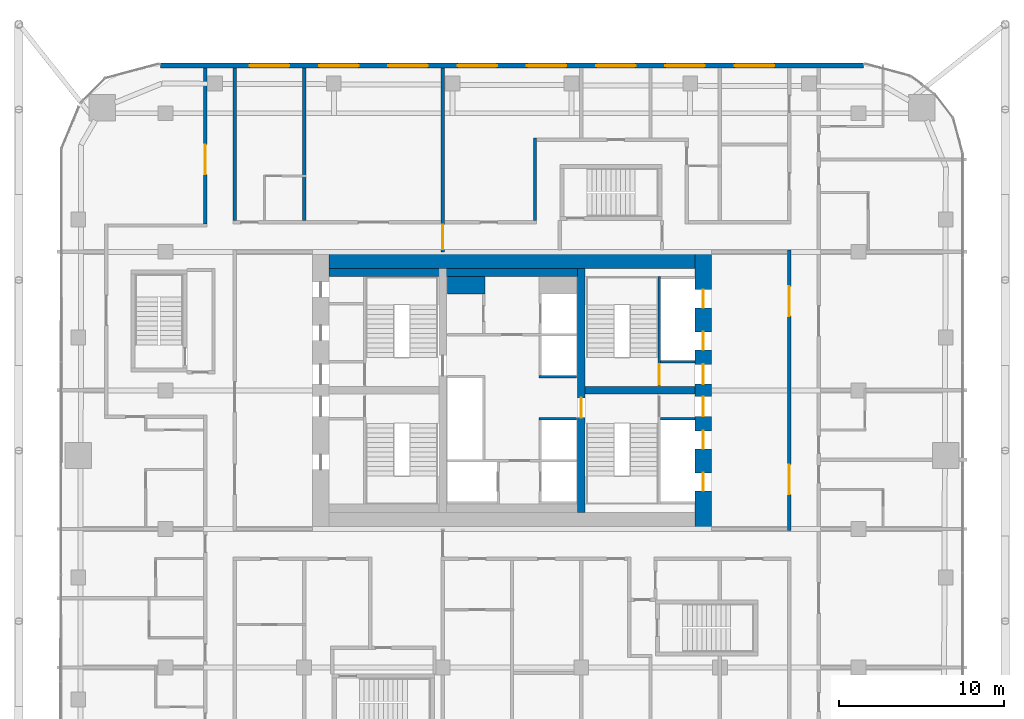
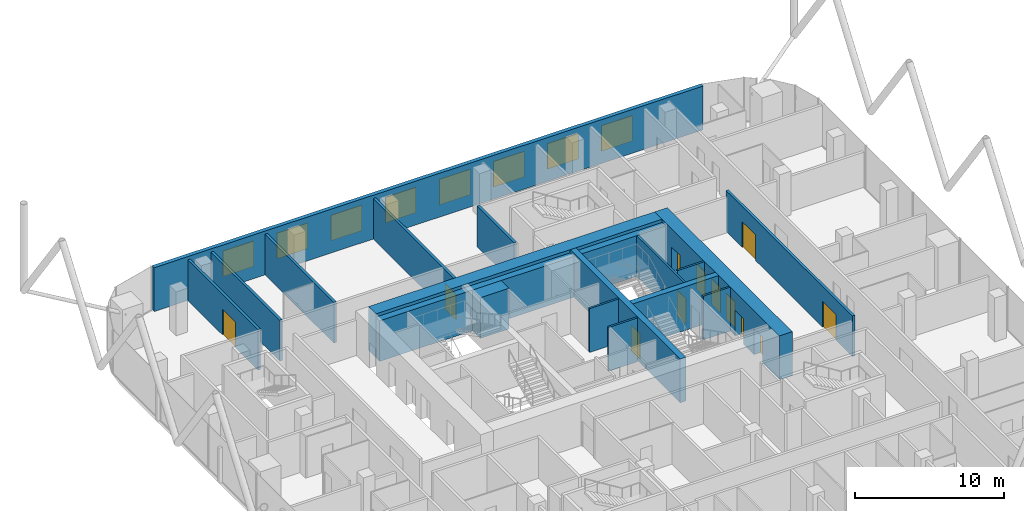
# One storey, part 29 of 33: 18 walls, 12 doors, 8 windows, 20 openings.
"""IFC4 building model written with IfcOpenShell, lengths in metres."""

import ifcopenshell
import ifcopenshell.guid

model = None  # the IFC model being written
_history = None  # IfcOwnerHistory: only IFC2X3 demands one
_inside = {}  # id of a spatial element -> (the spatial element, [elements in it])
_under = {}  # id of a project, library or spatial element -> (it, [spatial elements below it])
_declared = {}  # id of a project -> (the project, [libraries it declares])
_typed = {}  # id of a type object -> (the type object, [elements of that type])
_made_of = {}  # id of a material, layer set ... -> (it, [elements and type objects made of it])


def new_model(schema):
    """Start an empty IFC model of exactly this schema.

    Asked for "IFC4X3", IfcOpenShell would pick the latest addendum, in which some entities
    have other attributes; the version numbers below select the first issue.
    IFC2X3 requires an IfcOwnerHistory on every rooted entity: one is made here for all.
    """
    global model, _history
    if schema == "IFC4X3":
        model = ifcopenshell.file(schema_version=(4, 3, 0, 0))
    else:
        model = ifcopenshell.file(schema=schema)
    _inside.clear()
    _under.clear()
    _declared.clear()
    _typed.clear()
    _made_of.clear()
    _history = None
    if model.schema == "IFC2X3":
        org = make("IfcOrganization", Name="unknown")
        user = make(
            "IfcPersonAndOrganization",
            ThePerson=make("IfcPerson", FamilyName="unknown"),
            TheOrganization=org,
        )
        app = make(
            "IfcApplication",
            ApplicationDeveloper=org,
            Version="unknown",
            ApplicationFullName="unknown",
            ApplicationIdentifier="unknown",
        )
        _history = make(
            "IfcOwnerHistory",
            OwningUser=user,
            OwningApplication=app,
            ChangeAction="ADDED",
            CreationDate=0,
        )
    return model


def make(cls, **values):
    """One entity of the class cls with the attributes given. An attribute that is None is left unset."""
    return model.create_entity(
        cls, **{name: value for name, value in values.items() if value is not None}
    )


def rooted(cls, **values):
    """An entity with a GlobalId (a new one), such as an element, a storey or a relation."""
    return make(cls, GlobalId=ifcopenshell.guid.new(), OwnerHistory=_history, **values)


def si_unit(unit_type, name, prefix=None):
    """IfcSIUnit, for example si_unit("LENGTHUNIT", "METRE", prefix="MILLI")."""
    return make("IfcSIUnit", UnitType=unit_type, Prefix=prefix, Name=name)


def assignment(units):
    """IfcUnitAssignment: the units of a project."""
    return None if units is None else make("IfcUnitAssignment", Units=units)


def point(xyz):
    """IfcCartesianPoint."""
    return None if xyz is None else make("IfcCartesianPoint", Coordinates=xyz)


def direction(xyz):
    """IfcDirection."""
    return None if xyz is None else make("IfcDirection", DirectionRatios=xyz)


def frame(location, z_axis=None, x_axis=None):
    """IfcAxis2Placement3D, a coordinate frame: its origin and axes. An axis left out is left unset."""
    return make(
        "IfcAxis2Placement3D",
        Location=point(location),
        Axis=direction(z_axis),
        RefDirection=direction(x_axis),
    )


def frame_2d(location, x_axis=None):
    """IfcAxis2Placement2D, a coordinate frame in the plane: its origin and x axis."""
    return make(
        "IfcAxis2Placement2D", Location=point(location), RefDirection=direction(x_axis)
    )


def origin():
    """The frame at (0, 0, 0) with its axes left unset."""
    return frame((0.0, 0.0, 0.0))


def place(relative_to, where):
    """IfcLocalPlacement: puts the frame where relative to a parent placement (None: the world)."""
    return make(
        "IfcLocalPlacement", PlacementRelTo=relative_to, RelativePlacement=where
    )


def context(
    kind, dimensions, precision=None, world=None, true_north=None, identifier=None
):
    """IfcGeometricRepresentationContext, for example the 3D "Model" context."""
    return make(
        "IfcGeometricRepresentationContext",
        ContextIdentifier=identifier,
        ContextType=kind,
        CoordinateSpaceDimension=dimensions,
        Precision=precision,
        WorldCoordinateSystem=world,
        TrueNorth=true_north,
    )


def subcontext(parent, identifier, kind, view, scale=None):
    """IfcGeometricRepresentationSubContext, for example "Body" below "Model"."""
    return make(
        "IfcGeometricRepresentationSubContext",
        ContextIdentifier=identifier,
        ContextType=kind,
        ParentContext=parent,
        TargetScale=scale,
        TargetView=view,
    )


def project(units=None, contexts=None):
    """IfcProject with its units and contexts."""
    return rooted(
        "IfcProject",
        Name="project",
        RepresentationContexts=contexts,
        UnitsInContext=assignment(units),
    )


def spatial(cls, under=None, at=None, **own):
    """A site, building, storey or space (cls), placed at a placement, below another one or the project."""
    s = rooted(cls, ObjectPlacement=at, **own)
    if under is not None:
        _under.setdefault(under.id(), (under, []))[1].append(s)
    return s


def profile(cls, at=None, kind="AREA", **sizes):
    """A parametric profile (cls). Its sizes go by their IFC names, for example OverallWidth=200.0."""
    return make(cls, ProfileType=kind, Position=at, **sizes)


def rectangle(**sizes):
    """IfcRectangleProfileDef."""
    return profile("IfcRectangleProfileDef", **sizes)


def extrude(swept, where, along, depth):
    """IfcExtrudedAreaSolid: the profile swept, set in the frame where, extruded along a direction by depth."""
    return make(
        "IfcExtrudedAreaSolid",
        SweptArea=swept,
        Position=where,
        ExtrudedDirection=direction(along),
        Depth=depth,
    )


def shape(context_of_items, identifier, shape_type, items):
    """IfcShapeRepresentation: the items that make up one representation, for example the "Body"."""
    return make(
        "IfcShapeRepresentation",
        ContextOfItems=context_of_items,
        RepresentationIdentifier=identifier,
        RepresentationType=shape_type,
        Items=items,
    )


def material(Name=None, Category=None):
    """IfcMaterial."""
    return make("IfcMaterial", Name=Name, Category=Category)


def layer(
    of_material, thickness, ventilated=None, Name=None, Category=None, Priority=None
):
    """IfcMaterialLayer: one layer of a wall or slab, of a material (None: an air gap)."""
    return make(
        "IfcMaterialLayer",
        Material=of_material,
        LayerThickness=thickness,
        IsVentilated=ventilated,
        Name=Name,
        Category=Category,
        Priority=Priority,
    )


def layer_set(layers, Name=None):
    """IfcMaterialLayerSet."""
    return make("IfcMaterialLayerSet", MaterialLayers=layers, LayerSetName=Name)


def made_of(thing, what):
    """Note that an element or type object is made of a material, layer set ...; save() writes the relation."""
    if what is not None:
        _made_of.setdefault(what.id(), (what, []))[1].append(thing)
    return thing


def type_object(cls, material=None, **own):
    """A type object (cls), such as IfcWallType, which elements share."""
    return made_of(rooted(cls, **own), material)


def element(
    cls,
    number,
    at=None,
    inside=None,
    cuts=None,
    type_object=None,
    material=None,
    context=None,
    identifier="Body",
    shape_type=None,
    held_by="IfcProductDefinitionShape",
    body=None,
    shapes=None,
    **own,
):
    """One element of the class cls, such as IfcWall. Its Tag is "e" and its number.

    at: its placement. inside: the storey or other place that contains it. cuts: it is an
    opening in that element (IfcRelVoidsElement). A single representation is given by context,
    identifier, shape_type and body (its items); several are given by shapes. held_by: the class
    of the entity that holds the representations. save() writes the other relations.
    """
    e = rooted(cls, Tag="e%d" % number, ObjectPlacement=at, **own)
    if body is not None:
        shapes = [shape(context, identifier, shape_type, body)]
    if shapes is not None:
        e.Representation = make(held_by, Representations=shapes)
    if inside is not None:
        _inside.setdefault(inside.id(), (inside, []))[1].append(e)
    if cuts is not None:
        rooted(
            "IfcRelVoidsElement", RelatingBuildingElement=cuts, RelatedOpeningElement=e
        )
    if type_object is not None:
        _typed.setdefault(type_object.id(), (type_object, []))[1].append(e)
    return made_of(e, material)


def fill(opening, filler):
    """IfcRelFillsElement: the door or window that sits in an opening."""
    return rooted(
        "IfcRelFillsElement",
        RelatingOpeningElement=opening,
        RelatedBuildingElement=filler,
    )


def aggregate(whole, parts):
    """IfcRelAggregates: a whole, such as a stair, and the parts it consists of."""
    return rooted("IfcRelAggregates", RelatingObject=whole, RelatedObjects=parts)


def save(model, path):
    """Write the relations noted so far, then the file.

    IfcRelAggregates (storeys below a building ...), IfcRelContainedInSpatialStructure (elements
    in a storey), IfcRelDefinesByType, IfcRelAssociatesMaterial and IfcRelDeclares: one each for
    every whole, place, type object, material and project.
    """
    for whole, parts in _under.values():
        aggregate(whole, parts)
    for where, things in _inside.values():
        rooted(
            "IfcRelContainedInSpatialStructure",
            RelatedElements=things,
            RelatingStructure=where,
        )
    for kind, things in _typed.values():
        rooted("IfcRelDefinesByType", RelatedObjects=things, RelatingType=kind)
    for what, things in _made_of.values():
        rooted("IfcRelAssociatesMaterial", RelatedObjects=things, RelatingMaterial=what)
    for by, libraries in _declared.values():
        rooted("IfcRelDeclares", RelatingContext=by, RelatedDefinitions=libraries)
    model.write(path)


model = new_model("IFC4")

# Units and contexts
model_context = context("Model", 3, precision=1e-05, world=origin(), true_north=direction((0.0, 1.0)))
body_context = subcontext(model_context, "Body", "Model", "MODEL_VIEW")
ifc_project = project(units=[si_unit("LENGTHUNIT", "METRE"), si_unit("AREAUNIT", "SQUARE_METRE"), si_unit("VOLUMEUNIT", "CUBIC_METRE"), si_unit("PLANEANGLEUNIT", "RADIAN"), si_unit("MASSUNIT", "GRAM", prefix="KILO")], contexts=[model_context])

# Site, building, storey
site_placement = place(None, origin())
site = spatial("IfcSite", under=ifc_project, at=site_placement, CompositionType="ELEMENT")
building_placement = place(site_placement, origin())
building = spatial("IfcBuilding", under=site, at=building_placement, Name="Marenta Gate Hotel Tower", CompositionType="ELEMENT")
storey_placement = place(building_placement, frame((0.0, 0.0, 151.699951171875)))
storey = spatial("IfcBuildingStorey", under=building, at=storey_placement, Name="L35", CompositionType="ELEMENT", Elevation=151.699951171875)

# Wall, openings, windows
ifc_material_1 = material(Name="Concrete C40 board-marked", Category="concrete")
ifc_layer_1 = layer(ifc_material_1, 0.300048828125)
ifc_layer_set_1 = layer_set([ifc_layer_1], Name="Concrete C40 board-marked")
wall_type_1 = type_object("IfcWallType", Name="Board-marked concrete wall 300 mm", PredefinedType="NOTDEFINED", material=ifc_layer_set_1)
wall_1_placement = place(storey_placement, frame((21.305908203125, 28.090087890625, 0.0), z_axis=(0.0, 0.0, 1.0), x_axis=(-1.0, 0.0, 0.0)))
wall_1 = element("IfcWall", 1, at=wall_1_placement, inside=storey, type_object=wall_type_1, Name="L35-CLD-N00", PredefinedType="NOTDEFINED", context=body_context, shape_type="SweptSolid", body=[
    extrude(rectangle(XDim=42.61181640625, YDim=0.300048828125, at=frame_2d((21.305908203125, 0.0))), origin(), (0.0, 0.0, 1.0), 3.60009765625),
])
opening_1_placement = place(wall_1_placement, frame((5.406005859375, 0.0, 0.89990234375)))
opening_1 = element("IfcOpeningElement", 2, at=opening_1_placement, cuts=wall_1, Name="Opening W1", PredefinedType="OPENING", context=body_context, shape_type="SweptSolid", body=[
    extrude(rectangle(XDim=2.39990234375, YDim=2.10009765625, at=frame_2d((1.199951171875, 1.050048828125))), frame((0.0, 0.14990234375, 0.0), z_axis=(0.0, -1.0, 0.0), x_axis=(1.0, 0.0, 0.0)), (0.0, 0.0, 1.0), 0.300048828125),
])
opening_2_placement = place(wall_1_placement, frame((9.60595703125, 0.0, 0.89990234375)))
opening_2 = element("IfcOpeningElement", 3, at=opening_2_placement, cuts=wall_1, Name="Opening W1", PredefinedType="OPENING", context=body_context, shape_type="SweptSolid", body=[
    extrude(rectangle(XDim=2.39990234375, YDim=2.10009765625, at=frame_2d((1.199951171875, 1.050048828125))), frame((0.0, 0.14990234375, 0.0), z_axis=(0.0, -1.0, 0.0), x_axis=(1.0, 0.0, 0.0)), (0.0, 0.0, 1.0), 0.300048828125),
])
opening_3_placement = place(wall_1_placement, frame((13.805908203125, 0.0, 0.89990234375)))
opening_3 = element("IfcOpeningElement", 4, at=opening_3_placement, cuts=wall_1, Name="Opening W1", PredefinedType="OPENING", context=body_context, shape_type="SweptSolid", body=[
    extrude(rectangle(XDim=2.39990234375, YDim=2.10009765625, at=frame_2d((1.199951171875, 1.050048828125))), frame((0.0, 0.14990234375, 0.0), z_axis=(0.0, -1.0, 0.0), x_axis=(1.0, 0.0, 0.0)), (0.0, 0.0, 1.0), 0.300048828125),
])
opening_4_placement = place(wall_1_placement, frame((18.005859375, 0.0, 0.89990234375)))
opening_4 = element("IfcOpeningElement", 5, at=opening_4_placement, cuts=wall_1, Name="Opening W1", PredefinedType="OPENING", context=body_context, shape_type="SweptSolid", body=[
    extrude(rectangle(XDim=2.39990234375, YDim=2.10009765625, at=frame_2d((1.199951171875, 1.050048828125))), frame((0.0, 0.14990234375, 0.0), z_axis=(0.0, -1.0, 0.0), x_axis=(1.0, 0.0, 0.0)), (0.0, 0.0, 1.0), 0.300048828125),
])
opening_5_placement = place(wall_1_placement, frame((22.205810546875, 0.0, 0.89990234375)))
opening_5 = element("IfcOpeningElement", 6, at=opening_5_placement, cuts=wall_1, Name="Opening W1", PredefinedType="OPENING", context=body_context, shape_type="SweptSolid", body=[
    extrude(rectangle(XDim=2.39990234375, YDim=2.10009765625, at=frame_2d((1.199951171875, 1.050048828125))), frame((0.0, 0.14990234375, 0.0), z_axis=(0.0, -1.0, 0.0), x_axis=(1.0, 0.0, 0.0)), (0.0, 0.0, 1.0), 0.300048828125),
])
opening_6_placement = place(wall_1_placement, frame((26.406005859375, 0.0, 0.89990234375)))
opening_6 = element("IfcOpeningElement", 7, at=opening_6_placement, cuts=wall_1, Name="Opening W1", PredefinedType="OPENING", context=body_context, shape_type="SweptSolid", body=[
    extrude(rectangle(XDim=2.39990234375, YDim=2.10009765625, at=frame_2d((1.199951171875, 1.050048828125))), frame((0.0, 0.14990234375, 0.0), z_axis=(0.0, -1.0, 0.0), x_axis=(1.0, 0.0, 0.0)), (0.0, 0.0, 1.0), 0.300048828125),
])
opening_7_placement = place(wall_1_placement, frame((30.60595703125, 0.0, 0.89990234375)))
opening_7 = element("IfcOpeningElement", 8, at=opening_7_placement, cuts=wall_1, Name="Opening W1", PredefinedType="OPENING", context=body_context, shape_type="SweptSolid", body=[
    extrude(rectangle(XDim=2.39990234375, YDim=2.10009765625, at=frame_2d((1.199951171875, 1.050048828125))), frame((0.0, 0.14990234375, 0.0), z_axis=(0.0, -1.0, 0.0), x_axis=(1.0, 0.0, 0.0)), (0.0, 0.0, 1.0), 0.300048828125),
])
opening_8_placement = place(wall_1_placement, frame((34.805908203125, 0.0, 0.89990234375)))
opening_8 = element("IfcOpeningElement", 9, at=opening_8_placement, cuts=wall_1, Name="Opening W1", PredefinedType="OPENING", context=body_context, shape_type="SweptSolid", body=[
    extrude(rectangle(XDim=2.39990234375, YDim=2.10009765625, at=frame_2d((1.199951171875, 1.050048828125))), frame((0.0, 0.14990234375, 0.0), z_axis=(0.0, -1.0, 0.0), x_axis=(1.0, 0.0, 0.0)), (0.0, 0.0, 1.0), 0.300048828125),
])
ifc_material_2 = material(Name="Tinted insulated glass in bronze anodised frame", Category="glass")
window_type = type_object("IfcWindowType", Name="Window W1 2400x2100 bronze frame", PartitioningType="SINGLE_PANEL", PredefinedType="WINDOW", material=ifc_material_2)
window_1_placement = place(opening_1_placement, origin())
window_1 = element("IfcWindow", 10, at=window_1_placement, inside=storey, type_object=window_type, Name="Window W1", OverallHeight=2.10009765625, OverallWidth=2.39990234375, PartitioningType="SINGLE_PANEL", PredefinedType="WINDOW", context=body_context, shape_type="SweptSolid", body=[
    extrude(rectangle(XDim=2.39990234375, YDim=2.10009765625, at=frame_2d((1.199951171875, 1.050048828125))), frame((0.0, 0.030029296875, 0.0), z_axis=(0.0, -1.0, 0.0), x_axis=(1.0, 0.0, 0.0)), (0.0, 0.0, 1.0), 0.06005859375),
])
fill(opening_1, window_1)
window_2_placement = place(opening_2_placement, origin())
window_2 = element("IfcWindow", 11, at=window_2_placement, inside=storey, type_object=window_type, Name="Window W1", OverallHeight=2.10009765625, OverallWidth=2.39990234375, PartitioningType="SINGLE_PANEL", PredefinedType="WINDOW", context=body_context, shape_type="SweptSolid", body=[
    extrude(rectangle(XDim=2.39990234375, YDim=2.10009765625, at=frame_2d((1.199951171875, 1.050048828125))), frame((0.0, 0.030029296875, 0.0), z_axis=(0.0, -1.0, 0.0), x_axis=(1.0, 0.0, 0.0)), (0.0, 0.0, 1.0), 0.06005859375),
])
fill(opening_2, window_2)
window_3_placement = place(opening_3_placement, origin())
window_3 = element("IfcWindow", 12, at=window_3_placement, inside=storey, type_object=window_type, Name="Window W1", OverallHeight=2.10009765625, OverallWidth=2.39990234375, PartitioningType="SINGLE_PANEL", PredefinedType="WINDOW", context=body_context, shape_type="SweptSolid", body=[
    extrude(rectangle(XDim=2.39990234375, YDim=2.10009765625, at=frame_2d((1.199951171875, 1.050048828125))), frame((0.0, 0.030029296875, 0.0), z_axis=(0.0, -1.0, 0.0), x_axis=(1.0, 0.0, 0.0)), (0.0, 0.0, 1.0), 0.06005859375),
])
fill(opening_3, window_3)
window_4_placement = place(opening_4_placement, origin())
window_4 = element("IfcWindow", 13, at=window_4_placement, inside=storey, type_object=window_type, Name="Window W1", OverallHeight=2.10009765625, OverallWidth=2.39990234375, PartitioningType="SINGLE_PANEL", PredefinedType="WINDOW", context=body_context, shape_type="SweptSolid", body=[
    extrude(rectangle(XDim=2.39990234375, YDim=2.10009765625, at=frame_2d((1.199951171875, 1.050048828125))), frame((0.0, 0.030029296875, 0.0), z_axis=(0.0, -1.0, 0.0), x_axis=(1.0, 0.0, 0.0)), (0.0, 0.0, 1.0), 0.06005859375),
])
fill(opening_4, window_4)
window_5_placement = place(opening_5_placement, origin())
window_5 = element("IfcWindow", 14, at=window_5_placement, inside=storey, type_object=window_type, Name="Window W1", OverallHeight=2.10009765625, OverallWidth=2.39990234375, PartitioningType="SINGLE_PANEL", PredefinedType="WINDOW", context=body_context, shape_type="SweptSolid", body=[
    extrude(rectangle(XDim=2.39990234375, YDim=2.10009765625, at=frame_2d((1.199951171875, 1.050048828125))), frame((0.0, 0.030029296875, 0.0), z_axis=(0.0, -1.0, 0.0), x_axis=(1.0, 0.0, 0.0)), (0.0, 0.0, 1.0), 0.06005859375),
])
fill(opening_5, window_5)
window_6_placement = place(opening_6_placement, origin())
window_6 = element("IfcWindow", 15, at=window_6_placement, inside=storey, type_object=window_type, Name="Window W1", OverallHeight=2.10009765625, OverallWidth=2.39990234375, PartitioningType="SINGLE_PANEL", PredefinedType="WINDOW", context=body_context, shape_type="SweptSolid", body=[
    extrude(rectangle(XDim=2.39990234375, YDim=2.10009765625, at=frame_2d((1.199951171875, 1.050048828125))), frame((0.0, 0.030029296875, 0.0), z_axis=(0.0, -1.0, 0.0), x_axis=(1.0, 0.0, 0.0)), (0.0, 0.0, 1.0), 0.06005859375),
])
fill(opening_6, window_6)
window_7_placement = place(opening_7_placement, origin())
window_7 = element("IfcWindow", 16, at=window_7_placement, inside=storey, type_object=window_type, Name="Window W1", OverallHeight=2.10009765625, OverallWidth=2.39990234375, PartitioningType="SINGLE_PANEL", PredefinedType="WINDOW", context=body_context, shape_type="SweptSolid", body=[
    extrude(rectangle(XDim=2.39990234375, YDim=2.10009765625, at=frame_2d((1.199951171875, 1.050048828125))), frame((0.0, 0.030029296875, 0.0), z_axis=(0.0, -1.0, 0.0), x_axis=(1.0, 0.0, 0.0)), (0.0, 0.0, 1.0), 0.06005859375),
])
fill(opening_7, window_7)
window_8_placement = place(opening_8_placement, origin())
window_8 = element("IfcWindow", 17, at=window_8_placement, inside=storey, type_object=window_type, Name="Window W1", OverallHeight=2.10009765625, OverallWidth=2.39990234375, PartitioningType="SINGLE_PANEL", PredefinedType="WINDOW", context=body_context, shape_type="SweptSolid", body=[
    extrude(rectangle(XDim=2.39990234375, YDim=2.10009765625, at=frame_2d((1.199951171875, 1.050048828125))), frame((0.0, 0.030029296875, 0.0), z_axis=(0.0, -1.0, 0.0), x_axis=(1.0, 0.0, 0.0)), (0.0, 0.0, 1.0), 0.06005859375),
])
fill(opening_8, window_8)

# Wall, opening, door
ifc_material_3 = material(Name="Concrete blockwork", Category="masonry")
ifc_layer_2 = layer(ifc_material_3, 0.199951171875)
ifc_layer_set_2 = layer_set([ifc_layer_2], Name="Concrete blockwork")
wall_type_2 = type_object("IfcWallType", Name="Compartment wall 200 REI 180", PredefinedType="PARTITIONING", material=ifc_layer_set_2)
wall_2_placement = place(storey_placement, frame((-4.199951171875, 16.800048828125, 0.0), z_axis=(0.0, 0.0, 1.0), x_axis=(0.0, 1.0, 0.0)))
wall_2 = element("IfcWall", 18, at=wall_2_placement, inside=storey, type_object=wall_type_2, Name="L35-PTN-W074", PredefinedType="PARTITIONING", context=body_context, shape_type="SweptSolid", body=[
    extrude(rectangle(XDim=11.139892578125, YDim=0.199951171875, at=frame_2d((5.56982421875, 0.0))), origin(), (0.0, 0.0, 1.0), 3.340087890625),
])
opening_9_placement = place(wall_2_placement, frame((0.14990234375, 0.0, 0.0)))
opening_9 = element("IfcOpeningElement", 19, at=opening_9_placement, cuts=wall_2, Name="Opening G13-FD1", PredefinedType="OPENING", context=body_context, shape_type="SweptSolid", body=[
    extrude(rectangle(XDim=1.5, YDim=2.10009765625, at=frame_2d((0.75, 1.050048828125))), frame((0.0, 0.10009765625, 0.0), z_axis=(0.0, -1.0, 0.0), x_axis=(1.0, 0.0, 0.0)), (0.0, 0.0, 1.0), 0.199951171875),
])
ifc_material_4 = material(Name="Hollow steel door set", Category="steel")
door_type_1 = type_object("IfcDoorType", Name="Compartment fire door 1500x2100 EI 60", OperationType="DOUBLE_DOOR_DOUBLE_SWING", PredefinedType="DOOR", material=ifc_material_4)
door_1_placement = place(opening_9_placement, origin())
door_1 = element("IfcDoor", 20, at=door_1_placement, inside=storey, type_object=door_type_1, Name="L35-PD-FD01", OperationType="DOUBLE_DOOR_DOUBLE_SWING", OverallHeight=2.10009765625, OverallWidth=1.5, PredefinedType="DOOR", context=body_context, shape_type="SweptSolid", body=[
    extrude(rectangle(XDim=1.5, YDim=2.10009765625, at=frame_2d((0.75, 1.050048828125))), frame((0.0, 0.02490234375, 0.0), z_axis=(0.0, -1.0, 0.0), x_axis=(1.0, 0.0, 0.0)), (0.0, 0.0, 1.0), 0.050048828125),
])
fill(opening_9, door_1)

# Wall, openings, doors
ifc_material_5 = material(Name="Concrete blockwork", Category="masonry")
ifc_layer_3 = layer(ifc_material_5, 0.199951171875)
ifc_layer_set_3 = layer_set([ifc_layer_3], Name="Concrete blockwork")
wall_type_3 = type_object("IfcWallType", Name="Core boundary wall 200 REI 180", PredefinedType="PARTITIONING", material=ifc_layer_set_3)
wall_3_placement = place(storey_placement, frame((16.800048828125, -0.10009765625, 0.0), z_axis=(0.0, 0.0, 1.0), x_axis=(0.0, 1.0, 0.0)))
wall_3 = element("IfcWall", 21, at=wall_3_placement, inside=storey, type_object=wall_type_3, Name="L35-CP-BW-E", PredefinedType="PARTITIONING", context=body_context, shape_type="SweptSolid", body=[
    extrude(rectangle(XDim=17.0, YDim=0.199951171875, at=frame_2d((8.5, 0.0))), origin(), (0.0, 0.0, 1.0), 3.340087890625),
])
opening_10_placement = place(wall_3_placement, frame((2.199951171875, 0.0, 0.0)))
opening_10 = element("IfcOpeningElement", 22, at=opening_10_placement, cuts=wall_3, Name="Opening ED-Ea-B", PredefinedType="OPENING", context=body_context, shape_type="SweptSolid", body=[
    extrude(rectangle(XDim=1.800048828125, YDim=2.10009765625, at=frame_2d((0.89990234375, 1.050048828125))), frame((0.0, 0.10009765625, 0.0), z_axis=(0.0, -1.0, 0.0), x_axis=(1.0, 0.0, 0.0)), (0.0, 0.0, 1.0), 0.199951171875),
])
opening_11_placement = place(wall_3_placement, frame((13.0, 0.0, 0.0)))
opening_11 = element("IfcOpeningElement", 23, at=opening_11_placement, cuts=wall_3, Name="Opening ED-Eb-B", PredefinedType="OPENING", context=body_context, shape_type="SweptSolid", body=[
    extrude(rectangle(XDim=1.800048828125, YDim=2.10009765625, at=frame_2d((0.89990234375, 1.050048828125))), frame((0.0, 0.10009765625, 0.0), z_axis=(0.0, -1.0, 0.0), x_axis=(1.0, 0.0, 0.0)), (0.0, 0.0, 1.0), 0.199951171875),
])
ifc_material_6 = material(Name="Steel", Category="steel")
door_type_2 = type_object("IfcDoorType", Name="Core lobby entrance door 1800x2100 EI 60", OperationType="DOUBLE_DOOR_SINGLE_SWING", PredefinedType="DOOR", material=ifc_material_6)
door_2_placement = place(opening_10_placement, origin())
door_2 = element("IfcDoor", 24, at=door_2_placement, inside=storey, type_object=door_type_2, Name="ED-Ea-B", OperationType="DOUBLE_DOOR_SINGLE_SWING", OverallHeight=2.10009765625, OverallWidth=1.800048828125, PredefinedType="DOOR", context=body_context, shape_type="SweptSolid", body=[
    extrude(rectangle(XDim=1.800048828125, YDim=2.10009765625, at=frame_2d((0.89990234375, 1.050048828125))), frame((0.0, 0.02490234375, 0.0), z_axis=(0.0, -1.0, 0.0), x_axis=(1.0, 0.0, 0.0)), (0.0, 0.0, 1.0), 0.050048828125),
])
fill(opening_10, door_2)
door_3_placement = place(opening_11_placement, origin())
door_3 = element("IfcDoor", 25, at=door_3_placement, inside=storey, type_object=door_type_2, Name="ED-Eb-B", OperationType="DOUBLE_DOOR_SINGLE_SWING", OverallHeight=2.10009765625, OverallWidth=1.800048828125, PredefinedType="DOOR", context=body_context, shape_type="SweptSolid", body=[
    extrude(rectangle(XDim=1.800048828125, YDim=2.10009765625, at=frame_2d((0.89990234375, 1.050048828125))), frame((0.0, 0.02490234375, 0.0), z_axis=(0.0, -1.0, 0.0), x_axis=(1.0, 0.0, 0.0)), (0.0, 0.0, 1.0), 0.050048828125),
])
fill(opening_11, door_3)

# Walls
ifc_material_7 = material(Name="Concrete C40", Category="concrete")
ifc_layer_4 = layer(ifc_material_7, 0.5)
ifc_layer_set_4 = layer_set([ifc_layer_4], Name="Concrete C40")
wall_type_4 = type_object("IfcWallType", Name="Core lining wall 500 REI 180", PredefinedType="PARTITIONING", material=ifc_layer_set_4)
wall_4_placement = place(storey_placement, frame((-11.10009765625, 15.550048828125, 0.0), z_axis=(0.0, 0.0, 1.0), x_axis=(1.0, 0.0, 0.0)))
element("IfcWall", 26, at=wall_4_placement, inside=storey, type_object=wall_type_4, Name="L35-CP-LN-N", PredefinedType="PARTITIONING", context=body_context, shape_type="SweptSolid", body=[
    extrude(rectangle(XDim=22.2001953125, YDim=0.5, at=frame_2d((11.10009765625, 0.0))), origin(), (0.0, 0.0, 1.0), 3.340087890625),
])
ifc_material_8 = material(Name="Concrete blockwork", Category="masonry")
ifc_layer_5 = layer(ifc_material_8, 1.050048828125)
ifc_layer_set_5 = layer_set([ifc_layer_5], Name="Concrete blockwork")
wall_type_5 = type_object("IfcWallType", Name="Core room partition 1050 REI 180", PredefinedType="PARTITIONING", material=ifc_layer_set_5)
wall_5_placement = place(storey_placement, frame((-3.89990234375, 14.77490234375, 0.0), z_axis=(0.0, 0.0, 1.0), x_axis=(1.0, 0.0, 0.0)))
element("IfcWall", 27, at=wall_5_placement, inside=storey, type_object=wall_type_5, Name="L35-CP-CW-W-riser-N", PredefinedType="PARTITIONING", context=body_context, shape_type="SweptSolid", body=[
    extrude(rectangle(XDim=2.25, YDim=1.050048828125, at=frame_2d((1.125, 0.0))), origin(), (0.0, 0.0, 1.0), 3.340087890625),
])
ifc_material_9 = material(Name="Concrete C40", Category="concrete")
ifc_layer_6 = layer(ifc_material_9, 0.14990234375)
ifc_layer_set_6 = layer_set([ifc_layer_6], Name="Concrete C40")
wall_type_6 = type_object("IfcWallType", Name="Core shaft wall 150 REI 180", PredefinedType="SHEAR", material=ifc_layer_set_6)
for number, where, z_axis, x_axis, name in (
    (28, (9.0, 6.675048828125, 0.0), (0.0, 0.0, 1.0), (1.0, 0.0, 0.0), "L35-SHF-SW-ES-2"),
    (29, (9.0, 10.125, 0.0), (0.0, 0.0, 1.0), (1.0, 0.0, 0.0), "L35-SHF-SW-EN-2"),
):
    element("IfcWall", number, at=place(storey_placement, frame(where, z_axis=z_axis, x_axis=x_axis)), inside=storey, type_object=wall_type_6, Name=name, PredefinedType="SHEAR", context=body_context, shape_type="SweptSolid", body=[
        extrude(rectangle(XDim=2.10009765625, YDim=0.14990234375, at=frame_2d((1.050048828125, 0.0))), origin(), (0.0, 0.0, 1.0), 3.60009765625),
    ])
for number, where, z_axis, x_axis, name in (
    (30, (1.64990234375, 6.675048828125, 0.0), (0.0, 0.0, 1.0), (1.0, 0.0, 0.0), "L35-SHF-CE-sep1"),
    (31, (1.64990234375, 9.22509765625, 0.0), (0.0, 0.0, 1.0), (1.0, 0.0, 0.0), "L35-SHF-CE-sep2"),
):
    element("IfcWall", number, at=place(storey_placement, frame(where, z_axis=z_axis, x_axis=x_axis)), inside=storey, type_object=wall_type_6, Name=name, PredefinedType="SHEAR", context=body_context, shape_type="SweptSolid", body=[
        extrude(rectangle(XDim=2.25, YDim=0.14990234375, at=frame_2d((1.125, 0.0))), origin(), (0.0, 0.0, 1.0), 3.60009765625),
    ])

# Wall, opening, door
ifc_material_10 = material(Name="Concrete C40", Category="concrete")
ifc_layer_7 = layer(ifc_material_10, 0.14990234375)
ifc_layer_set_7 = layer_set([ifc_layer_7], Name="Concrete C40")
wall_type_7 = type_object("IfcWallType", Name="Core stair enclosure wall 150 REI 180", PredefinedType="SHEAR", material=ifc_layer_set_7)
wall_6_placement = place(storey_placement, frame((8.925048828125, 8.699951171875, 0.0), z_axis=(0.0, 0.0, 1.0), x_axis=(0.0, 1.0, 0.0)))
wall_6 = element("IfcWall", 32, at=wall_6_placement, inside=storey, type_object=wall_type_7, Name="L35-SHF-SW-EN-3", PredefinedType="SHEAR", context=body_context, shape_type="SweptSolid", body=[
    extrude(rectangle(XDim=6.60009765625, YDim=0.14990234375, at=frame_2d((3.300048828125, 0.0))), origin(), (0.0, 0.0, 1.0), 3.340087890625),
])
opening_12_placement = place(wall_6_placement, frame((0.074951171875, 0.0, 0.0)))
opening_12 = element("IfcOpeningElement", 33, at=opening_12_placement, cuts=wall_6, Name="Opening SD-EN", PredefinedType="OPENING", context=body_context, shape_type="SweptSolid", body=[
    extrude(rectangle(XDim=1.199951171875, YDim=2.10009765625, at=frame_2d((0.60009765625, 1.050048828125))), frame((0.0, 0.074951171875, 0.0), z_axis=(0.0, -1.0, 0.0), x_axis=(1.0, 0.0, 0.0)), (0.0, 0.0, 1.0), 0.14990234375),
])
ifc_material_11 = material(Name="Steel", Category="steel")
door_type_3 = type_object("IfcDoorType", Name="Core stair door 1200x2100 FD60", OperationType="SINGLE_SWING_LEFT", PredefinedType="DOOR", material=ifc_material_11)
door_4_placement = place(opening_12_placement, origin())
door_4 = element("IfcDoor", 34, at=door_4_placement, inside=storey, type_object=door_type_3, Name="SD-EN", OperationType="SINGLE_SWING_LEFT", OverallHeight=2.10009765625, OverallWidth=1.199951171875, PredefinedType="DOOR", context=body_context, shape_type="SweptSolid", body=[
    extrude(rectangle(XDim=1.199951171875, YDim=2.10009765625, at=frame_2d((0.60009765625, 1.050048828125))), frame((0.0, 0.02490234375, 0.0), z_axis=(0.0, -1.0, 0.0), x_axis=(1.0, 0.0, 0.0)), (0.0, 0.0, 1.0), 0.050048828125),
])
fill(opening_12, door_4)

# Wall, openings, doors
ifc_material_12 = material(Name="Concrete C70", Category="concrete")
ifc_layer_8 = layer(ifc_material_12, 1.0)
ifc_layer_set_8 = layer_set([ifc_layer_8], Name="Concrete C70")
wall_type_8 = type_object("IfcWallType", Name="Core wall 1000 C70", PredefinedType="SHEAR", material=ifc_layer_set_8)
wall_7_placement = place(storey_placement, frame((11.60009765625, 0.0, 0.0), z_axis=(0.0, 0.0, 1.0), x_axis=(0.0, 1.0, 0.0)))
wall_7 = element("IfcWall", 35, at=wall_7_placement, inside=storey, type_object=wall_type_8, Name="L35-CORE-E", PredefinedType="SHEAR", context=body_context, shape_type="SweptSolid", body=[
    extrude(rectangle(XDim=16.800048828125, YDim=1.0, at=frame_2d((8.39990234375, 0.0))), origin(), (0.0, 0.0, 1.0), 3.60009765625),
])
opening_13_placement = place(wall_7_placement, frame((2.300048828125, 0.0, 0.0)))
opening_13 = element("IfcOpeningElement", 36, at=opening_13_placement, cuts=wall_7, Name="Opening LD-HR1", PredefinedType="OPENING", context=body_context, shape_type="SweptSolid", body=[
    extrude(rectangle(XDim=1.10009765625, YDim=2.10009765625, at=frame_2d((0.550048828125, 1.050048828125))), frame((0.0, 0.5, 0.0), z_axis=(0.0, -1.0, 0.0), x_axis=(1.0, 0.0, 0.0)), (0.0, 0.0, 1.0), 1.0),
])
opening_14_placement = place(wall_7_placement, frame((4.85009765625, 0.0, 0.0)))
opening_14 = element("IfcOpeningElement", 37, at=opening_14_placement, cuts=wall_7, Name="Opening LD-HR2", PredefinedType="OPENING", context=body_context, shape_type="SweptSolid", body=[
    extrude(rectangle(XDim=1.10009765625, YDim=2.10009765625, at=frame_2d((0.550048828125, 1.050048828125))), frame((0.0, 0.5, 0.0), z_axis=(0.0, -1.0, 0.0), x_axis=(1.0, 0.0, 0.0)), (0.0, 0.0, 1.0), 1.0),
])
opening_15_placement = place(wall_7_placement, frame((6.824951171875, 0.0, 0.0)))
opening_15 = element("IfcOpeningElement", 38, at=opening_15_placement, cuts=wall_7, Name="Opening PD-ES", PredefinedType="OPENING", context=body_context, shape_type="SweptSolid", body=[
    extrude(rectangle(XDim=1.199951171875, YDim=2.10009765625, at=frame_2d((0.60009765625, 1.050048828125))), frame((0.0, 0.5, 0.0), z_axis=(0.0, -1.0, 0.0), x_axis=(1.0, 0.0, 0.0)), (0.0, 0.0, 1.0), 1.0),
])
opening_16_placement = place(wall_7_placement, frame((13.39990234375, 0.0, 0.0)))
opening_16 = element("IfcOpeningElement", 39, at=opening_16_placement, cuts=wall_7, Name="Opening LD-HR4", PredefinedType="OPENING", context=body_context, shape_type="SweptSolid", body=[
    extrude(rectangle(XDim=1.10009765625, YDim=2.10009765625, at=frame_2d((0.550048828125, 1.050048828125))), frame((0.0, 0.5, 0.0), z_axis=(0.0, -1.0, 0.0), x_axis=(1.0, 0.0, 0.0)), (0.0, 0.0, 1.0), 1.0),
])
opening_17_placement = place(wall_7_placement, frame((10.85009765625, 0.0, 0.0)))
opening_17 = element("IfcOpeningElement", 40, at=opening_17_placement, cuts=wall_7, Name="Opening LD-HR3", PredefinedType="OPENING", context=body_context, shape_type="SweptSolid", body=[
    extrude(rectangle(XDim=1.10009765625, YDim=2.10009765625, at=frame_2d((0.550048828125, 1.050048828125))), frame((0.0, 0.5, 0.0), z_axis=(0.0, -1.0, 0.0), x_axis=(1.0, 0.0, 0.0)), (0.0, 0.0, 1.0), 1.0),
])
opening_18_placement = place(wall_7_placement, frame((8.77490234375, 0.0, 0.0)))
opening_18 = element("IfcOpeningElement", 41, at=opening_18_placement, cuts=wall_7, Name="Opening PD-EN", PredefinedType="OPENING", context=body_context, shape_type="SweptSolid", body=[
    extrude(rectangle(XDim=1.199951171875, YDim=2.10009765625, at=frame_2d((0.60009765625, 1.050048828125))), frame((0.0, 0.5, 0.0), z_axis=(0.0, -1.0, 0.0), x_axis=(1.0, 0.0, 0.0)), (0.0, 0.0, 1.0), 1.0),
])
ifc_material_13 = material(Name="Steel", Category="steel")
door_type_4 = type_object("IfcDoorType", Name="Core lift landing door 1100x2100 E 60", OperationType="SLIDING_TO_LEFT", PredefinedType="DOOR", material=ifc_material_13)
door_5_placement = place(opening_13_placement, origin())
door_5 = element("IfcDoor", 42, at=door_5_placement, inside=storey, type_object=door_type_4, Name="LD-HR1", OperationType="SLIDING_TO_LEFT", OverallHeight=2.10009765625, OverallWidth=1.10009765625, PredefinedType="DOOR", context=body_context, shape_type="SweptSolid", body=[
    extrude(rectangle(XDim=1.10009765625, YDim=2.10009765625, at=frame_2d((0.550048828125, 1.050048828125))), frame((0.0, 0.02490234375, 0.0), z_axis=(0.0, -1.0, 0.0), x_axis=(1.0, 0.0, 0.0)), (0.0, 0.0, 1.0), 0.050048828125),
])
fill(opening_13, door_5)
door_6_placement = place(opening_14_placement, origin())
door_6 = element("IfcDoor", 43, at=door_6_placement, inside=storey, type_object=door_type_4, Name="LD-HR2", OperationType="SLIDING_TO_LEFT", OverallHeight=2.10009765625, OverallWidth=1.10009765625, PredefinedType="DOOR", context=body_context, shape_type="SweptSolid", body=[
    extrude(rectangle(XDim=1.10009765625, YDim=2.10009765625, at=frame_2d((0.550048828125, 1.050048828125))), frame((0.0, 0.02490234375, 0.0), z_axis=(0.0, -1.0, 0.0), x_axis=(1.0, 0.0, 0.0)), (0.0, 0.0, 1.0), 0.050048828125),
])
fill(opening_14, door_6)
door_7_placement = place(opening_16_placement, origin())
door_7 = element("IfcDoor", 44, at=door_7_placement, inside=storey, type_object=door_type_4, Name="LD-HR4", OperationType="SLIDING_TO_LEFT", OverallHeight=2.10009765625, OverallWidth=1.10009765625, PredefinedType="DOOR", context=body_context, shape_type="SweptSolid", body=[
    extrude(rectangle(XDim=1.10009765625, YDim=2.10009765625, at=frame_2d((0.550048828125, 1.050048828125))), frame((0.0, 0.02490234375, 0.0), z_axis=(0.0, -1.0, 0.0), x_axis=(1.0, 0.0, 0.0)), (0.0, 0.0, 1.0), 0.050048828125),
])
fill(opening_16, door_7)
door_8_placement = place(opening_17_placement, origin())
door_8 = element("IfcDoor", 45, at=door_8_placement, inside=storey, type_object=door_type_4, Name="LD-HR3", OperationType="SLIDING_TO_LEFT", OverallHeight=2.10009765625, OverallWidth=1.10009765625, PredefinedType="DOOR", context=body_context, shape_type="SweptSolid", body=[
    extrude(rectangle(XDim=1.10009765625, YDim=2.10009765625, at=frame_2d((0.550048828125, 1.050048828125))), frame((0.0, 0.02490234375, 0.0), z_axis=(0.0, -1.0, 0.0), x_axis=(1.0, 0.0, 0.0)), (0.0, 0.0, 1.0), 0.050048828125),
])
fill(opening_17, door_8)
ifc_material_14 = material(Name="Steel", Category="steel")
door_type_5 = type_object("IfcDoorType", Name="Core lobby door 1200x2100 FD60", OperationType="SINGLE_SWING_LEFT", PredefinedType="DOOR", material=ifc_material_14)
door_9_placement = place(opening_15_placement, origin())
door_9 = element("IfcDoor", 46, at=door_9_placement, inside=storey, type_object=door_type_5, Name="PD-ES", OperationType="SINGLE_SWING_LEFT", OverallHeight=2.10009765625, OverallWidth=1.199951171875, PredefinedType="DOOR", context=body_context, shape_type="SweptSolid", body=[
    extrude(rectangle(XDim=1.199951171875, YDim=2.10009765625, at=frame_2d((0.60009765625, 1.050048828125))), frame((0.0, 0.02490234375, 0.0), z_axis=(0.0, -1.0, 0.0), x_axis=(1.0, 0.0, 0.0)), (0.0, 0.0, 1.0), 0.050048828125),
])
fill(opening_15, door_9)
door_10_placement = place(opening_18_placement, origin())
door_10 = element("IfcDoor", 47, at=door_10_placement, inside=storey, type_object=door_type_5, Name="PD-EN", OperationType="SINGLE_SWING_LEFT", OverallHeight=2.10009765625, OverallWidth=1.199951171875, PredefinedType="DOOR", context=body_context, shape_type="SweptSolid", body=[
    extrude(rectangle(XDim=1.199951171875, YDim=2.10009765625, at=frame_2d((0.60009765625, 1.050048828125))), frame((0.0, 0.02490234375, 0.0), z_axis=(0.0, -1.0, 0.0), x_axis=(1.0, 0.0, 0.0)), (0.0, 0.0, 1.0), 0.050048828125),
])
fill(opening_18, door_10)

# Wall
wall_8_placement = place(storey_placement, frame((-11.10009765625, 16.300048828125, 0.0), z_axis=(0.0, 0.0, 1.0), x_axis=(1.0, 0.0, 0.0)))
element("IfcWall", 48, at=wall_8_placement, inside=storey, type_object=wall_type_8, Name="L35-CORE-N", PredefinedType="SHEAR", context=body_context, shape_type="SweptSolid", body=[
    extrude(rectangle(XDim=22.2001953125, YDim=1.0, at=frame_2d((11.10009765625, 0.0))), origin(), (0.0, 0.0, 1.0), 3.60009765625),
])

# Wall, opening, door
ifc_material_15 = material(Name="Concrete C70", Category="concrete")
ifc_layer_9 = layer(ifc_material_15, 0.449951171875)
ifc_layer_set_9 = layer_set([ifc_layer_9], Name="Concrete C70")
wall_type_9 = type_object("IfcWallType", Name="Core web 450 C70", PredefinedType="SHEAR", material=ifc_layer_set_9)
wall_9_placement = place(storey_placement, frame((4.199951171875, 1.0, 0.0), z_axis=(0.0, 0.0, 1.0), x_axis=(0.0, 1.0, 0.0)))
wall_9 = element("IfcWall", 49, at=wall_9_placement, inside=storey, type_object=wall_type_9, Name="L35-CORE-W2", PredefinedType="SHEAR", context=body_context, shape_type="SweptSolid", body=[
    extrude(rectangle(XDim=14.800048828125, YDim=0.449951171875, at=frame_2d((7.39990234375, 0.0))), origin(), (0.0, 0.0, 1.0), 3.60009765625),
])
opening_19_placement = place(wall_9_placement, frame((5.75, 0.0, 0.0)))
opening_19 = element("IfcOpeningElement", 50, at=opening_19_placement, cuts=wall_9, Name="Opening WD-E", PredefinedType="OPENING", context=body_context, shape_type="SweptSolid", body=[
    extrude(rectangle(XDim=1.199951171875, YDim=2.10009765625, at=frame_2d((0.60009765625, 1.050048828125))), frame((0.0, 0.22509765625, 0.0), z_axis=(0.0, -1.0, 0.0), x_axis=(1.0, 0.0, 0.0)), (0.0, 0.0, 1.0), 0.449951171875),
])
door_11_placement = place(opening_19_placement, origin())
door_11 = element("IfcDoor", 51, at=door_11_placement, inside=storey, type_object=door_type_3, Name="WD-E", OperationType="SINGLE_SWING_LEFT", OverallHeight=2.10009765625, OverallWidth=1.199951171875, PredefinedType="DOOR", context=body_context, shape_type="SweptSolid", body=[
    extrude(rectangle(XDim=1.199951171875, YDim=2.10009765625, at=frame_2d((0.60009765625, 1.050048828125))), frame((0.0, 0.02490234375, 0.0), z_axis=(0.0, -1.0, 0.0), x_axis=(1.0, 0.0, 0.0)), (0.0, 0.0, 1.0), 0.050048828125),
])
fill(opening_19, door_11)

# Walls
wall_10_placement = place(storey_placement, frame((4.425048828125, 8.39990234375, 0.0), z_axis=(0.0, 0.0, 1.0), x_axis=(1.0, 0.0, 0.0)))
element("IfcWall", 52, at=wall_10_placement, inside=storey, type_object=wall_type_9, Name="L35-CORE-W4", PredefinedType="SHEAR", context=body_context, shape_type="SweptSolid", body=[
    extrude(rectangle(XDim=6.675048828125, YDim=0.449951171875, at=frame_2d((3.33740234375, 0.0))), origin(), (0.0, 0.0, 1.0), 3.60009765625),
])
ifc_material_16 = material(Name="Gypsum board on steel stud", Category="steel")
ifc_layer_10 = layer(ifc_material_16, 0.199951171875)
ifc_layer_set_10 = layer_set([ifc_layer_10], Name="Gypsum board on steel stud")
wall_type_10 = type_object("IfcWallType", Name="Room corridor wall 200 EI 60", PredefinedType="PARTITIONING", material=ifc_layer_set_10)
wall_11_placement = place(storey_placement, frame((1.39990234375, 18.699951171875, 0.0), z_axis=(0.0, 0.0, 1.0), x_axis=(0.0, 1.0, 0.0)))
element("IfcWall", 53, at=wall_11_placement, inside=storey, type_object=wall_type_10, Name="L35-PTN-W065", PredefinedType="PARTITIONING", context=body_context, shape_type="SweptSolid", body=[
    extrude(rectangle(XDim=5.0, YDim=0.199951171875, at=frame_2d((2.5, 0.0))), origin(), (0.0, 0.0, 1.0), 3.340087890625),
])
wall_12_placement = place(storey_placement, frame((-16.800048828125, 18.699951171875, 0.0), z_axis=(0.0, 0.0, 1.0), x_axis=(0.0, 1.0, 0.0)))
element("IfcWall", 54, at=wall_12_placement, inside=storey, type_object=wall_type_10, Name="L35-PTN-W096", PredefinedType="PARTITIONING", context=body_context, shape_type="SweptSolid", body=[
    extrude(rectangle(XDim=9.239990234375, YDim=0.199951171875, at=frame_2d((4.6201171875, 0.0))), origin(), (0.0, 0.0, 1.0), 3.340087890625),
])

# Wall, opening, door
wall_13_placement = place(storey_placement, frame((-18.60009765625, 18.5, 0.0), z_axis=(0.0, 0.0, 1.0), x_axis=(0.0, 1.0, 0.0)))
wall_13 = element("IfcWall", 55, at=wall_13_placement, inside=storey, type_object=wall_type_10, Name="L35-PTN-W102", PredefinedType="PARTITIONING", context=body_context, shape_type="SweptSolid", body=[
    extrude(rectangle(XDim=9.43994140625, YDim=0.199951171875, at=frame_2d((4.719970703125, 0.0))), origin(), (0.0, 0.0, 1.0), 3.340087890625),
])
opening_20_placement = place(wall_13_placement, frame((3.0, 0.0, 0.0)))
opening_20 = element("IfcOpeningElement", 56, at=opening_20_placement, cuts=wall_13, Name="Opening G13-57", PredefinedType="OPENING", context=body_context, shape_type="SweptSolid", body=[
    extrude(rectangle(XDim=1.800048828125, YDim=2.10009765625, at=frame_2d((0.89990234375, 1.050048828125))), frame((0.0, 0.10009765625, 0.0), z_axis=(0.0, -1.0, 0.0), x_axis=(1.0, 0.0, 0.0)), (0.0, 0.0, 1.0), 0.199951171875),
])
ifc_material_17 = material(Name="Timber door leaf", Category="wood")
door_type_6 = type_object("IfcDoorType", Name="Room amenity door 1800x2100 EI 30", OperationType="DOUBLE_DOOR_SINGLE_SWING", PredefinedType="DOOR", material=ifc_material_17)
door_12_placement = place(opening_20_placement, origin())
door_12 = element("IfcDoor", 57, at=door_12_placement, inside=storey, type_object=door_type_6, Name="L35-PD-D057", OperationType="DOUBLE_DOOR_SINGLE_SWING", OverallHeight=2.10009765625, OverallWidth=1.800048828125, PredefinedType="DOOR", context=body_context, shape_type="SweptSolid", body=[
    extrude(rectangle(XDim=1.800048828125, YDim=2.10009765625, at=frame_2d((0.89990234375, 1.050048828125))), frame((0.0, 0.02490234375, 0.0), z_axis=(0.0, -1.0, 0.0), x_axis=(1.0, 0.0, 0.0)), (0.0, 0.0, 1.0), 0.050048828125),
])
fill(opening_20, door_12)

# Wall
ifc_material_18 = material(Name="Gypsum board on steel stud", Category="steel")
ifc_layer_11 = layer(ifc_material_18, 0.199951171875)
ifc_layer_set_11 = layer_set([ifc_layer_11], Name="Gypsum board on steel stud")
wall_type_11 = type_object("IfcWallType", Name="Room party wall 200 EI 60", PredefinedType="PARTITIONING", material=ifc_layer_set_11)
wall_14_placement = place(storey_placement, frame((-12.60009765625, 18.699951171875, 0.0), z_axis=(0.0, 0.0, 1.0), x_axis=(0.0, 1.0, 0.0)))
element("IfcWall", 58, at=wall_14_placement, inside=storey, type_object=wall_type_11, Name="L35-PTN-W090", PredefinedType="PARTITIONING", context=body_context, shape_type="SweptSolid", body=[
    extrude(rectangle(XDim=9.239990234375, YDim=0.199951171875, at=frame_2d((4.6201171875, 0.0))), origin(), (0.0, 0.0, 1.0), 3.340087890625),
])

save(model, "model.ifc")
